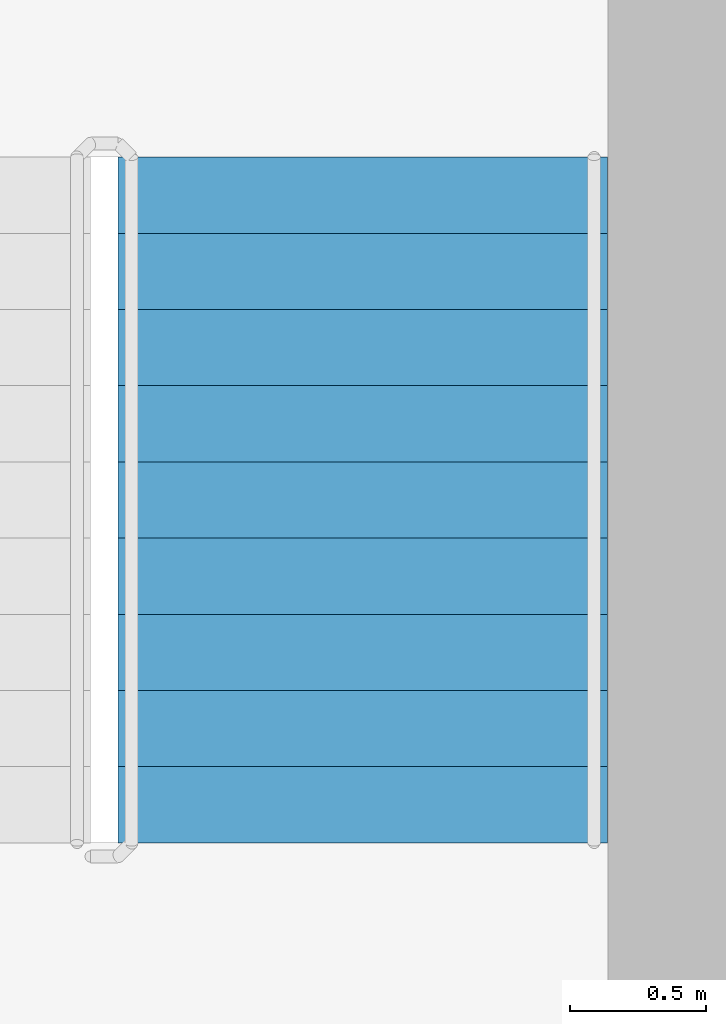
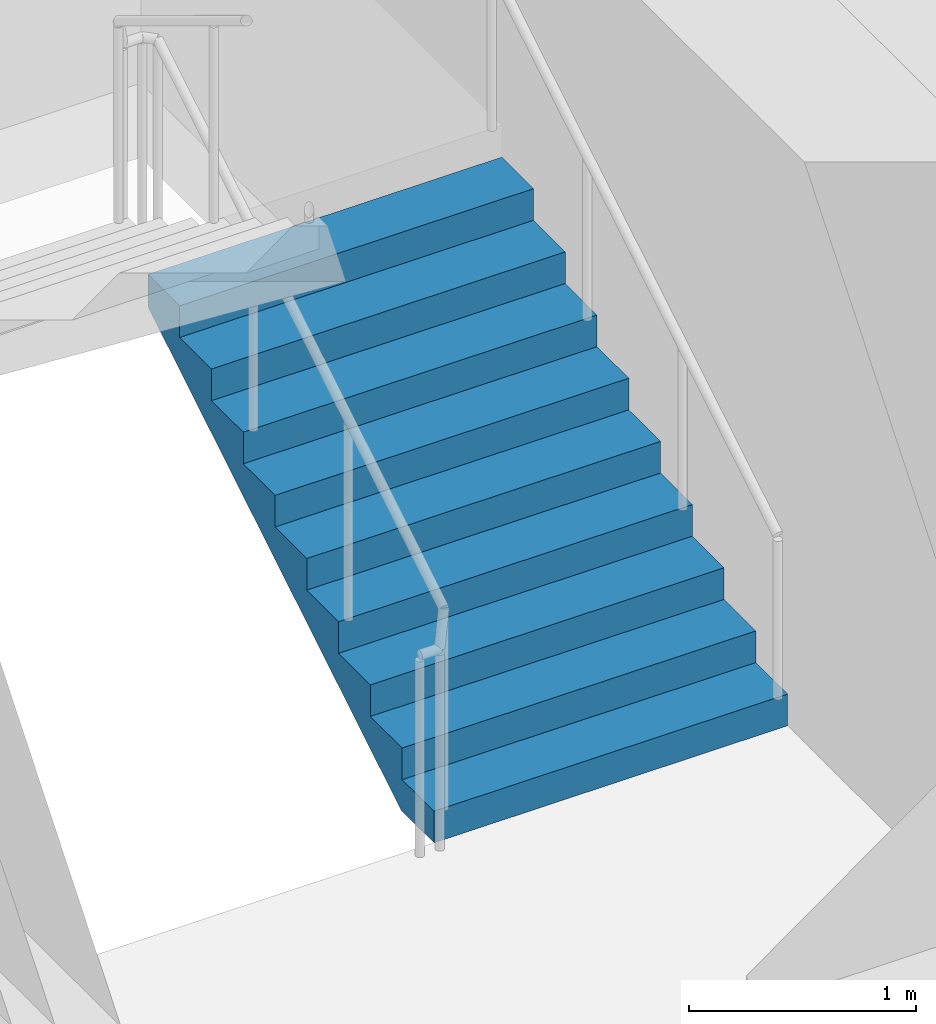
# One storey, part 13 of 16: 1 stair flight, 1 element without a shape of its own.
"""IFC4 building model written with IfcOpenShell, lengths in metres."""

from ifc_helpers import new_model, si_unit, direction, frame, origin, place, context, subcontext, project, spatial, triangles, source, transform, mapped, material, type_object, element, aggregate, save


model = new_model("IFC4")

# Units and contexts
model_context = context("Model", 3, precision=1e-05, world=origin(), true_north=direction((0.0, 1.0)))
body_context = subcontext(model_context, "Body", "Model", "MODEL_VIEW")
ifc_project = project(units=[si_unit("LENGTHUNIT", "METRE"), si_unit("AREAUNIT", "SQUARE_METRE"), si_unit("VOLUMEUNIT", "CUBIC_METRE"), si_unit("PLANEANGLEUNIT", "RADIAN"), si_unit("MASSUNIT", "GRAM", prefix="KILO")], contexts=[model_context])

# Site, building, storey
site_placement = place(None, origin())
site = spatial("IfcSite", under=ifc_project, at=site_placement, CompositionType="ELEMENT")
building_placement = place(site_placement, origin())
building = spatial("IfcBuilding", under=site, at=building_placement, Name="Kilnfold Tower and Market Hall", CompositionType="ELEMENT")
storey_placement = place(building_placement, frame((0.0, 0.0, 199.89990234375)))
storey = spatial("IfcBuildingStorey", under=building, at=storey_placement, Name="L48", CompositionType="ELEMENT", Elevation=199.89990234375)

# Stair, stair flight
ifc_material_1 = material(Name="Concrete C40/50", Category="concrete")
stair_type = type_object("IfcStairType", Name="CORE STAIR 1800", PredefinedType="HALF_TURN_STAIR", material=ifc_material_1)
stair_placement = place(storey_placement, origin())
stair = element("IfcStair", 1, at=stair_placement, inside=storey, type_object=stair_type, Name="L48 ST2", PredefinedType="HALF_TURN_STAIR")
ifc_material_2 = material(Name="Concrete C40/50", Category="concrete")
stair_flight_type = type_object("IfcStairFlightType", Name="CORE STAIR FLIGHT 1800", PredefinedType="STRAIGHT", material=ifc_material_2)
shared_shape = source(origin(), body_context, "Body", "Tessellation", [
    triangles([(0.0, 0.89990234375, 0.0), (0.0, 0.78759765625, 0.0), (0.0, 0.675048828125, 0.0), (0.0, 0.5625, 0.0), (0.0, 0.449951171875, 0.0), (0.0, 0.33740234375, 0.0), (0.0, 0.22509765625, 0.0), (0.0, 0.112548828125, 0.0), (0.0, 0.0, 0.0), (0.0, -0.112548828125, 0.0), (0.0, -0.22509765625, 0.0), (0.0, -0.33740234375, 0.0), (0.0, -0.449951171875, 0.0), (0.0, -0.5625, 0.0), (0.0, -0.675048828125, 0.0), (0.0, -0.78759765625, 0.0), (0.0, -0.89990234375, 0.0), (0.0, 0.89990234375, 0.169921875), (0.0, 0.78759765625, 0.169921875), (0.0, 0.675048828125, 0.169921875), (0.0, 0.5625, 0.169921875), (0.0, 0.449951171875, 0.169921875), (0.0, 0.33740234375, 0.169921875), (0.0, 0.22509765625, 0.169921875), (0.0, 0.112548828125, 0.169921875), (0.0, 0.0, 0.169921875), (0.0, -0.112548828125, 0.169921875), (0.0, -0.22509765625, 0.169921875), (0.0, -0.33740234375, 0.169921875), (0.0, -0.449951171875, 0.169921875), (0.0, -0.5625, 0.169921875), (0.0, -0.675048828125, 0.169921875), (0.0, -0.78759765625, 0.169921875), (0.0, -0.89990234375, 0.169921875), (0.280029296875, 0.89990234375, 0.169921875), (0.280029296875, 0.78759765625, 0.169921875), (0.280029296875, 0.675048828125, 0.169921875), (0.280029296875, 0.5625, 0.169921875), (0.280029296875, 0.449951171875, 0.169921875), (0.280029296875, 0.33740234375, 0.169921875), (0.280029296875, 0.22509765625, 0.169921875), (0.280029296875, 0.112548828125, 0.169921875), (0.280029296875, 0.0, 0.169921875), (0.280029296875, -0.112548828125, 0.169921875), (0.280029296875, -0.22509765625, 0.169921875), (0.280029296875, -0.33740234375, 0.169921875), (0.280029296875, -0.449951171875, 0.169921875), (0.280029296875, -0.5625, 0.169921875), (0.280029296875, -0.675048828125, 0.169921875), (0.280029296875, -0.78759765625, 0.169921875), (0.280029296875, -0.89990234375, 0.169921875), (0.280029296875, 0.89990234375, 0.340087890625), (0.280029296875, 0.78759765625, 0.340087890625), (0.280029296875, 0.675048828125, 0.340087890625), (0.280029296875, 0.5625, 0.340087890625), (0.280029296875, 0.449951171875, 0.340087890625), (0.280029296875, 0.33740234375, 0.340087890625), (0.280029296875, 0.22509765625, 0.340087890625), (0.280029296875, 0.112548828125, 0.340087890625), (0.280029296875, 0.0, 0.340087890625), (0.280029296875, -0.112548828125, 0.340087890625), (0.280029296875, -0.22509765625, 0.340087890625), (0.280029296875, -0.33740234375, 0.340087890625), (0.280029296875, -0.449951171875, 0.340087890625), (0.280029296875, -0.5625, 0.340087890625), (0.280029296875, -0.675048828125, 0.340087890625), (0.280029296875, -0.78759765625, 0.340087890625), (0.280029296875, -0.89990234375, 0.340087890625), (0.56005859375, 0.89990234375, 0.340087890625), (0.56005859375, 0.78759765625, 0.340087890625), (0.56005859375, 0.675048828125, 0.340087890625), (0.56005859375, 0.5625, 0.340087890625), (0.56005859375, 0.449951171875, 0.340087890625), (0.56005859375, 0.33740234375, 0.340087890625), (0.56005859375, 0.22509765625, 0.340087890625), (0.56005859375, 0.112548828125, 0.340087890625), (0.56005859375, 0.0, 0.340087890625), (0.56005859375, -0.112548828125, 0.340087890625), (0.56005859375, -0.22509765625, 0.340087890625), (0.56005859375, -0.33740234375, 0.340087890625), (0.56005859375, -0.449951171875, 0.340087890625), (0.56005859375, -0.5625, 0.340087890625), (0.56005859375, -0.675048828125, 0.340087890625), (0.56005859375, -0.78759765625, 0.340087890625), (0.56005859375, -0.89990234375, 0.340087890625), (0.56005859375, 0.89990234375, 0.510009765625), (0.56005859375, 0.78759765625, 0.510009765625), (0.56005859375, 0.675048828125, 0.510009765625), (0.56005859375, 0.5625, 0.510009765625), (0.56005859375, 0.449951171875, 0.510009765625), (0.56005859375, 0.33740234375, 0.510009765625), (0.56005859375, 0.22509765625, 0.510009765625), (0.56005859375, 0.112548828125, 0.510009765625), (0.56005859375, 0.0, 0.510009765625), (0.56005859375, -0.112548828125, 0.510009765625), (0.56005859375, -0.22509765625, 0.510009765625), (0.56005859375, -0.33740234375, 0.510009765625), (0.56005859375, -0.449951171875, 0.510009765625), (0.56005859375, -0.5625, 0.510009765625), (0.56005859375, -0.675048828125, 0.510009765625), (0.56005859375, -0.78759765625, 0.510009765625), (0.56005859375, -0.89990234375, 0.510009765625), (0.840087890625, 0.89990234375, 0.510009765625), (0.840087890625, 0.78759765625, 0.510009765625), (0.840087890625, 0.675048828125, 0.510009765625), (0.840087890625, 0.5625, 0.510009765625), (0.840087890625, 0.449951171875, 0.510009765625), (0.840087890625, 0.33740234375, 0.510009765625), (0.840087890625, 0.22509765625, 0.510009765625), (0.840087890625, 0.112548828125, 0.510009765625), (0.840087890625, 0.0, 0.510009765625), (0.840087890625, -0.112548828125, 0.510009765625), (0.840087890625, -0.22509765625, 0.510009765625), (0.840087890625, -0.33740234375, 0.510009765625), (0.840087890625, -0.449951171875, 0.510009765625), (0.840087890625, -0.5625, 0.510009765625), (0.840087890625, -0.675048828125, 0.510009765625), (0.840087890625, -0.78759765625, 0.510009765625), (0.840087890625, -0.89990234375, 0.510009765625), (0.840087890625, 0.89990234375, 0.679931640625), (0.840087890625, 0.78759765625, 0.679931640625), (0.840087890625, 0.675048828125, 0.679931640625), (0.840087890625, 0.5625, 0.679931640625), (0.840087890625, 0.449951171875, 0.679931640625), (0.840087890625, 0.33740234375, 0.679931640625), (0.840087890625, 0.22509765625, 0.679931640625), (0.840087890625, 0.112548828125, 0.679931640625), (0.840087890625, 0.0, 0.679931640625), (0.840087890625, -0.112548828125, 0.679931640625), (0.840087890625, -0.22509765625, 0.679931640625), (0.840087890625, -0.33740234375, 0.679931640625), (0.840087890625, -0.449951171875, 0.679931640625), (0.840087890625, -0.5625, 0.679931640625), (0.840087890625, -0.675048828125, 0.679931640625), (0.840087890625, -0.78759765625, 0.679931640625), (0.840087890625, -0.89990234375, 0.679931640625), (1.1201171875, 0.89990234375, 0.679931640625), (1.1201171875, 0.78759765625, 0.679931640625), (1.1201171875, 0.675048828125, 0.679931640625), (1.1201171875, 0.5625, 0.679931640625), (1.1201171875, 0.449951171875, 0.679931640625), (1.1201171875, 0.33740234375, 0.679931640625), (1.1201171875, 0.22509765625, 0.679931640625), (1.1201171875, 0.112548828125, 0.679931640625), (1.1201171875, 0.0, 0.679931640625), (1.1201171875, -0.112548828125, 0.679931640625), (1.1201171875, -0.22509765625, 0.679931640625), (1.1201171875, -0.33740234375, 0.679931640625), (1.1201171875, -0.449951171875, 0.679931640625), (1.1201171875, -0.5625, 0.679931640625), (1.1201171875, -0.675048828125, 0.679931640625), (1.1201171875, -0.78759765625, 0.679931640625), (1.1201171875, -0.89990234375, 0.679931640625), (1.1201171875, 0.89990234375, 0.85009765625), (1.1201171875, 0.78759765625, 0.85009765625), (1.1201171875, 0.675048828125, 0.85009765625), (1.1201171875, 0.5625, 0.85009765625), (1.1201171875, 0.449951171875, 0.85009765625), (1.1201171875, 0.33740234375, 0.85009765625), (1.1201171875, 0.22509765625, 0.85009765625), (1.1201171875, 0.112548828125, 0.85009765625), (1.1201171875, 0.0, 0.85009765625), (1.1201171875, -0.112548828125, 0.85009765625), (1.1201171875, -0.22509765625, 0.85009765625), (1.1201171875, -0.33740234375, 0.85009765625), (1.1201171875, -0.449951171875, 0.85009765625), (1.1201171875, -0.5625, 0.85009765625), (1.1201171875, -0.675048828125, 0.85009765625), (1.1201171875, -0.78759765625, 0.85009765625), (1.1201171875, -0.89990234375, 0.85009765625), (1.39990234375, 0.89990234375, 0.85009765625), (1.39990234375, 0.78759765625, 0.85009765625), (1.39990234375, 0.675048828125, 0.85009765625), (1.39990234375, 0.5625, 0.85009765625), (1.39990234375, 0.449951171875, 0.85009765625), (1.39990234375, 0.33740234375, 0.85009765625), (1.39990234375, 0.22509765625, 0.85009765625), (1.39990234375, 0.112548828125, 0.85009765625), (1.39990234375, 0.0, 0.85009765625), (1.39990234375, -0.112548828125, 0.85009765625), (1.39990234375, -0.22509765625, 0.85009765625), (1.39990234375, -0.33740234375, 0.85009765625), (1.39990234375, -0.449951171875, 0.85009765625), (1.39990234375, -0.5625, 0.85009765625), (1.39990234375, -0.675048828125, 0.85009765625), (1.39990234375, -0.78759765625, 0.85009765625), (1.39990234375, -0.89990234375, 0.85009765625), (1.39990234375, 0.89990234375, 1.02001953125), (1.39990234375, 0.78759765625, 1.02001953125), (1.39990234375, 0.675048828125, 1.02001953125), (1.39990234375, 0.5625, 1.02001953125), (1.39990234375, 0.449951171875, 1.02001953125), (1.39990234375, 0.33740234375, 1.02001953125), (1.39990234375, 0.22509765625, 1.02001953125), (1.39990234375, 0.112548828125, 1.02001953125), (1.39990234375, 0.0, 1.02001953125), (1.39990234375, -0.112548828125, 1.02001953125), (1.39990234375, -0.22509765625, 1.02001953125), (1.39990234375, -0.33740234375, 1.02001953125), (1.39990234375, -0.449951171875, 1.02001953125), (1.39990234375, -0.5625, 1.02001953125), (1.39990234375, -0.675048828125, 1.02001953125), (1.39990234375, -0.78759765625, 1.02001953125), (1.39990234375, -0.89990234375, 1.02001953125), (1.679931640625, 0.89990234375, 1.02001953125), (1.679931640625, 0.78759765625, 1.02001953125), (1.679931640625, 0.675048828125, 1.02001953125), (1.679931640625, 0.5625, 1.02001953125), (1.679931640625, 0.449951171875, 1.02001953125), (1.679931640625, 0.33740234375, 1.02001953125), (1.679931640625, 0.22509765625, 1.02001953125), (1.679931640625, 0.112548828125, 1.02001953125), (1.679931640625, 0.0, 1.02001953125), (1.679931640625, -0.112548828125, 1.02001953125), (1.679931640625, -0.22509765625, 1.02001953125), (1.679931640625, -0.33740234375, 1.02001953125), (1.679931640625, -0.449951171875, 1.02001953125), (1.679931640625, -0.5625, 1.02001953125), (1.679931640625, -0.675048828125, 1.02001953125), (1.679931640625, -0.78759765625, 1.02001953125), (1.679931640625, -0.89990234375, 1.02001953125), (1.679931640625, 0.89990234375, 1.18994140625), (1.679931640625, 0.78759765625, 1.18994140625), (1.679931640625, 0.675048828125, 1.18994140625), (1.679931640625, 0.5625, 1.18994140625), (1.679931640625, 0.449951171875, 1.18994140625), (1.679931640625, 0.33740234375, 1.18994140625), (1.679931640625, 0.22509765625, 1.18994140625), (1.679931640625, 0.112548828125, 1.18994140625), (1.679931640625, 0.0, 1.18994140625), (1.679931640625, -0.112548828125, 1.18994140625), (1.679931640625, -0.22509765625, 1.18994140625), (1.679931640625, -0.33740234375, 1.18994140625), (1.679931640625, -0.449951171875, 1.18994140625), (1.679931640625, -0.5625, 1.18994140625), (1.679931640625, -0.675048828125, 1.18994140625), (1.679931640625, -0.78759765625, 1.18994140625), (1.679931640625, -0.89990234375, 1.18994140625), (1.9599609375, 0.89990234375, 1.18994140625), (1.9599609375, 0.78759765625, 1.18994140625), (1.9599609375, 0.675048828125, 1.18994140625), (1.9599609375, 0.5625, 1.18994140625), (1.9599609375, 0.449951171875, 1.18994140625), (1.9599609375, 0.33740234375, 1.18994140625), (1.9599609375, 0.22509765625, 1.18994140625), (1.9599609375, 0.112548828125, 1.18994140625), (1.9599609375, 0.0, 1.18994140625), (1.9599609375, -0.112548828125, 1.18994140625), (1.9599609375, -0.22509765625, 1.18994140625), (1.9599609375, -0.33740234375, 1.18994140625), (1.9599609375, -0.449951171875, 1.18994140625), (1.9599609375, -0.5625, 1.18994140625), (1.9599609375, -0.675048828125, 1.18994140625), (1.9599609375, -0.78759765625, 1.18994140625), (1.9599609375, -0.89990234375, 1.18994140625), (1.9599609375, 0.89990234375, 1.360107421875), (1.9599609375, 0.78759765625, 1.360107421875), (1.9599609375, 0.675048828125, 1.360107421875), (1.9599609375, 0.5625, 1.360107421875), (1.9599609375, 0.449951171875, 1.360107421875), (1.9599609375, 0.33740234375, 1.360107421875), (1.9599609375, 0.22509765625, 1.360107421875), (1.9599609375, 0.112548828125, 1.360107421875), (1.9599609375, 0.0, 1.360107421875), (1.9599609375, -0.112548828125, 1.360107421875), (1.9599609375, -0.22509765625, 1.360107421875), (1.9599609375, -0.33740234375, 1.360107421875), (1.9599609375, -0.449951171875, 1.360107421875), (1.9599609375, -0.5625, 1.360107421875), (1.9599609375, -0.675048828125, 1.360107421875), (1.9599609375, -0.78759765625, 1.360107421875), (1.9599609375, -0.89990234375, 1.360107421875), (2.239990234375, 0.89990234375, 1.360107421875), (2.239990234375, 0.78759765625, 1.360107421875), (2.239990234375, 0.675048828125, 1.360107421875), (2.239990234375, 0.5625, 1.360107421875), (2.239990234375, 0.449951171875, 1.360107421875), (2.239990234375, 0.33740234375, 1.360107421875), (2.239990234375, 0.22509765625, 1.360107421875), (2.239990234375, 0.112548828125, 1.360107421875), (2.239990234375, 0.0, 1.360107421875), (2.239990234375, -0.112548828125, 1.360107421875), (2.239990234375, -0.22509765625, 1.360107421875), (2.239990234375, -0.33740234375, 1.360107421875), (2.239990234375, -0.449951171875, 1.360107421875), (2.239990234375, -0.5625, 1.360107421875), (2.239990234375, -0.675048828125, 1.360107421875), (2.239990234375, -0.78759765625, 1.360107421875), (2.239990234375, -0.89990234375, 1.360107421875), (2.239990234375, 0.89990234375, 1.530029296875), (2.239990234375, 0.78759765625, 1.530029296875), (2.239990234375, 0.675048828125, 1.530029296875), (2.239990234375, 0.5625, 1.530029296875), (2.239990234375, 0.449951171875, 1.530029296875), (2.239990234375, 0.33740234375, 1.530029296875), (2.239990234375, 0.22509765625, 1.530029296875), (2.239990234375, 0.112548828125, 1.530029296875), (2.239990234375, 0.0, 1.530029296875), (2.239990234375, -0.112548828125, 1.530029296875), (2.239990234375, -0.22509765625, 1.530029296875), (2.239990234375, -0.33740234375, 1.530029296875), (2.239990234375, -0.449951171875, 1.530029296875), (2.239990234375, -0.5625, 1.530029296875), (2.239990234375, -0.675048828125, 1.530029296875), (2.239990234375, -0.78759765625, 1.530029296875), (2.239990234375, -0.89990234375, 1.530029296875), (2.52001953125, 0.89990234375, 1.530029296875), (2.52001953125, 0.78759765625, 1.530029296875), (2.52001953125, 0.675048828125, 1.530029296875), (2.52001953125, 0.5625, 1.530029296875), (2.52001953125, 0.449951171875, 1.530029296875), (2.52001953125, 0.33740234375, 1.530029296875), (2.52001953125, 0.22509765625, 1.530029296875), (2.52001953125, 0.112548828125, 1.530029296875), (2.52001953125, 0.0, 1.530029296875), (2.52001953125, -0.112548828125, 1.530029296875), (2.52001953125, -0.22509765625, 1.530029296875), (2.52001953125, -0.33740234375, 1.530029296875), (2.52001953125, -0.449951171875, 1.530029296875), (2.52001953125, -0.5625, 1.530029296875), (2.52001953125, -0.675048828125, 1.530029296875), (2.52001953125, -0.78759765625, 1.530029296875), (2.52001953125, -0.89990234375, 1.530029296875), (2.52001953125, 0.89990234375, 1.354736328125), (2.52001953125, 0.78759765625, 1.354736328125), (2.52001953125, 0.675048828125, 1.354736328125), (2.52001953125, 0.5625, 1.354736328125), (2.52001953125, 0.449951171875, 1.354736328125), (2.52001953125, 0.33740234375, 1.354736328125), (2.52001953125, 0.22509765625, 1.354736328125), (2.52001953125, 0.112548828125, 1.354736328125), (2.52001953125, 0.0, 1.354736328125), (2.52001953125, -0.112548828125, 1.354736328125), (2.52001953125, -0.22509765625, 1.354736328125), (2.52001953125, -0.33740234375, 1.354736328125), (2.52001953125, -0.449951171875, 1.354736328125), (2.52001953125, -0.5625, 1.354736328125), (2.52001953125, -0.675048828125, 1.354736328125), (2.52001953125, -0.78759765625, 1.354736328125), (2.52001953125, -0.89990234375, 1.354736328125), (0.288818359375, 0.89990234375, 0.0), (0.288818359375, 0.78759765625, 0.0), (0.288818359375, 0.675048828125, 0.0), (0.288818359375, 0.5625, 0.0), (0.288818359375, 0.449951171875, 0.0), (0.288818359375, 0.33740234375, 0.0), (0.288818359375, 0.22509765625, 0.0), (0.288818359375, 0.112548828125, 0.0), (0.288818359375, 0.0, 0.0), (0.288818359375, -0.112548828125, 0.0), (0.288818359375, -0.22509765625, 0.0), (0.288818359375, -0.33740234375, 0.0), (0.288818359375, -0.449951171875, 0.0), (0.288818359375, -0.5625, 0.0), (0.288818359375, -0.675048828125, 0.0), (0.288818359375, -0.78759765625, 0.0), (0.288818359375, -0.89990234375, 0.0)], [[1, 324, 341], [17, 357, 340], [324, 290, 307], [340, 323, 306], [324, 273, 290], [340, 306, 289], [324, 256, 273], [340, 289, 272], [324, 239, 256], [340, 272, 255], [239, 205, 222], [255, 238, 221], [324, 205, 239], [340, 255, 221], [205, 171, 188], [221, 204, 187], [324, 171, 205], [340, 221, 187], [171, 137, 154], [187, 170, 153], [324, 137, 171], [340, 187, 153], [137, 103, 120], [153, 136, 119], [324, 103, 137], [340, 153, 119], [103, 69, 86], [119, 102, 85], [324, 69, 103], [340, 119, 85], [69, 35, 52], [85, 68, 51], [324, 35, 69], [340, 85, 51], [1, 35, 324], [17, 340, 51], [35, 1, 18], [51, 34, 17], [1, 19, 18], [1, 2, 19], [2, 20, 19], [2, 3, 20], [3, 21, 20], [3, 4, 21], [4, 22, 21], [4, 5, 22], [5, 23, 22], [5, 6, 23], [6, 24, 23], [6, 7, 24], [7, 25, 24], [7, 8, 25], [8, 26, 25], [8, 9, 26], [9, 27, 26], [9, 10, 27], [10, 28, 27], [10, 11, 28], [11, 29, 28], [11, 12, 29], [12, 30, 29], [12, 13, 30], [13, 31, 30], [13, 14, 31], [14, 32, 31], [14, 15, 32], [15, 33, 32], [15, 16, 33], [16, 34, 33], [16, 17, 34], [18, 36, 35], [18, 19, 36], [19, 37, 36], [19, 20, 37], [20, 38, 37], [20, 21, 38], [21, 39, 38], [21, 22, 39], [22, 40, 39], [22, 23, 40], [23, 41, 40], [23, 24, 41], [24, 42, 41], [24, 25, 42], [25, 43, 42], [25, 26, 43], [26, 44, 43], [26, 27, 44], [27, 45, 44], [27, 28, 45], [28, 46, 45], [28, 29, 46], [29, 47, 46], [29, 30, 47], [30, 48, 47], [30, 31, 48], [31, 49, 48], [31, 32, 49], [32, 50, 49], [32, 33, 50], [33, 51, 50], [33, 34, 51], [35, 53, 52], [35, 36, 53], [36, 54, 53], [36, 37, 54], [37, 55, 54], [37, 38, 55], [38, 56, 55], [38, 39, 56], [39, 57, 56], [39, 40, 57], [40, 58, 57], [40, 41, 58], [41, 59, 58], [41, 42, 59], [42, 60, 59], [42, 43, 60], [43, 61, 60], [43, 44, 61], [44, 62, 61], [44, 45, 62], [45, 63, 62], [45, 46, 63], [46, 64, 63], [46, 47, 64], [47, 65, 64], [47, 48, 65], [48, 66, 65], [48, 49, 66], [49, 67, 66], [49, 50, 67], [50, 68, 67], [50, 51, 68], [52, 70, 69], [52, 53, 70], [53, 71, 70], [53, 54, 71], [54, 72, 71], [54, 55, 72], [55, 73, 72], [55, 56, 73], [56, 74, 73], [56, 57, 74], [57, 75, 74], [57, 58, 75], [58, 76, 75], [58, 59, 76], [59, 77, 76], [59, 60, 77], [60, 78, 77], [60, 61, 78], [61, 79, 78], [61, 62, 79], [62, 80, 79], [62, 63, 80], [63, 81, 80], [63, 64, 81], [64, 82, 81], [64, 65, 82], [65, 83, 82], [65, 66, 83], [66, 84, 83], [66, 67, 84], [67, 85, 84], [67, 68, 85], [69, 87, 86], [69, 70, 87], [70, 88, 87], [70, 71, 88], [71, 89, 88], [71, 72, 89], [72, 90, 89], [72, 73, 90], [73, 91, 90], [73, 74, 91], [74, 92, 91], [74, 75, 92], [75, 93, 92], [75, 76, 93], [76, 94, 93], [76, 77, 94], [77, 95, 94], [77, 78, 95], [78, 96, 95], [78, 79, 96], [79, 97, 96], [79, 80, 97], [80, 98, 97], [80, 81, 98], [81, 99, 98], [81, 82, 99], [82, 100, 99], [82, 83, 100], [83, 101, 100], [83, 84, 101], [84, 102, 101], [84, 85, 102], [86, 104, 103], [86, 87, 104], [87, 105, 104], [87, 88, 105], [88, 106, 105], [88, 89, 106], [89, 107, 106], [89, 90, 107], [90, 108, 107], [90, 91, 108], [91, 109, 108], [91, 92, 109], [92, 110, 109], [92, 93, 110], [93, 111, 110], [93, 94, 111], [94, 112, 111], [94, 95, 112], [95, 113, 112], [95, 96, 113], [96, 114, 113], [96, 97, 114], [97, 115, 114], [97, 98, 115], [98, 116, 115], [98, 99, 116], [99, 117, 116], [99, 100, 117], [100, 118, 117], [100, 101, 118], [101, 119, 118], [101, 102, 119], [103, 121, 120], [103, 104, 121], [104, 122, 121], [104, 105, 122], [105, 123, 122], [105, 106, 123], [106, 124, 123], [106, 107, 124], [107, 125, 124], [107, 108, 125], [108, 126, 125], [108, 109, 126], [109, 127, 126], [109, 110, 127], [110, 128, 127], [110, 111, 128], [111, 129, 128], [111, 112, 129], [112, 130, 129], [112, 113, 130], [113, 131, 130], [113, 114, 131], [114, 132, 131], [114, 115, 132], [115, 133, 132], [115, 116, 133], [116, 134, 133], [116, 117, 134], [117, 135, 134], [117, 118, 135], [118, 136, 135], [118, 119, 136], [120, 138, 137], [120, 121, 138], [121, 139, 138], [121, 122, 139], [122, 140, 139], [122, 123, 140], [123, 141, 140], [123, 124, 141], [124, 142, 141], [124, 125, 142], [125, 143, 142], [125, 126, 143], [126, 144, 143], [126, 127, 144], [127, 145, 144], [127, 128, 145], [128, 146, 145], [128, 129, 146], [129, 147, 146], [129, 130, 147], [130, 148, 147], [130, 131, 148], [131, 149, 148], [131, 132, 149], [132, 150, 149], [132, 133, 150], [133, 151, 150], [133, 134, 151], [134, 152, 151], [134, 135, 152], [135, 153, 152], [135, 136, 153], [137, 155, 154], [137, 138, 155], [138, 156, 155], [138, 139, 156], [139, 157, 156], [139, 140, 157], [140, 158, 157], [140, 141, 158], [141, 159, 158], [141, 142, 159], [142, 160, 159], [142, 143, 160], [143, 161, 160], [143, 144, 161], [144, 162, 161], [144, 145, 162], [145, 163, 162], [145, 146, 163], [146, 164, 163], [146, 147, 164], [147, 165, 164], [147, 148, 165], [148, 166, 165], [148, 149, 166], [149, 167, 166], [149, 150, 167], [150, 168, 167], [150, 151, 168], [151, 169, 168], [151, 152, 169], [152, 170, 169], [152, 153, 170], [154, 172, 171], [154, 155, 172], [155, 173, 172], [155, 156, 173], [156, 174, 173], [156, 157, 174], [157, 175, 174], [157, 158, 175], [158, 176, 175], [158, 159, 176], [159, 177, 176], [159, 160, 177], [160, 178, 177], [160, 161, 178], [161, 179, 178], [161, 162, 179], [162, 180, 179], [162, 163, 180], [163, 181, 180], [163, 164, 181], [164, 182, 181], [164, 165, 182], [165, 183, 182], [165, 166, 183], [166, 184, 183], [166, 167, 184], [167, 185, 184], [167, 168, 185], [168, 186, 185], [168, 169, 186], [169, 187, 186], [169, 170, 187], [171, 189, 188], [171, 172, 189], [172, 190, 189], [172, 173, 190], [173, 191, 190], [173, 174, 191], [174, 192, 191], [174, 175, 192], [175, 193, 192], [175, 176, 193], [176, 194, 193], [176, 177, 194], [177, 195, 194], [177, 178, 195], [178, 196, 195], [178, 179, 196], [179, 197, 196], [179, 180, 197], [180, 198, 197], [180, 181, 198], [181, 199, 198], [181, 182, 199], [182, 200, 199], [182, 183, 200], [183, 201, 200], [183, 184, 201], [184, 202, 201], [184, 185, 202], [185, 203, 202], [185, 186, 203], [186, 204, 203], [186, 187, 204], [188, 206, 205], [188, 189, 206], [189, 207, 206], [189, 190, 207], [190, 208, 207], [190, 191, 208], [191, 209, 208], [191, 192, 209], [192, 210, 209], [192, 193, 210], [193, 211, 210], [193, 194, 211], [194, 212, 211], [194, 195, 212], [195, 213, 212], [195, 196, 213], [196, 214, 213], [196, 197, 214], [197, 215, 214], [197, 198, 215], [198, 216, 215], [198, 199, 216], [199, 217, 216], [199, 200, 217], [200, 218, 217], [200, 201, 218], [201, 219, 218], [201, 202, 219], [202, 220, 219], [202, 203, 220], [203, 221, 220], [203, 204, 221], [205, 223, 222], [205, 206, 223], [206, 224, 223], [206, 207, 224], [207, 225, 224], [207, 208, 225], [208, 226, 225], [208, 209, 226], [209, 227, 226], [209, 210, 227], [210, 228, 227], [210, 211, 228], [211, 229, 228], [211, 212, 229], [212, 230, 229], [212, 213, 230], [213, 231, 230], [213, 214, 231], [214, 232, 231], [214, 215, 232], [215, 233, 232], [215, 216, 233], [216, 234, 233], [216, 217, 234], [217, 235, 234], [217, 218, 235], [218, 236, 235], [218, 219, 236], [219, 237, 236], [219, 220, 237], [220, 238, 237], [220, 221, 238], [222, 240, 239], [222, 223, 240], [223, 241, 240], [223, 224, 241], [224, 242, 241], [224, 225, 242], [225, 243, 242], [225, 226, 243], [226, 244, 243], [226, 227, 244], [227, 245, 244], [227, 228, 245], [228, 246, 245], [228, 229, 246], [229, 247, 246], [229, 230, 247], [230, 248, 247], [230, 231, 248], [231, 249, 248], [231, 232, 249], [232, 250, 249], [232, 233, 250], [233, 251, 250], [233, 234, 251], [234, 252, 251], [234, 235, 252], [235, 253, 252], [235, 236, 253], [236, 254, 253], [236, 237, 254], [237, 255, 254], [237, 238, 255], [239, 257, 256], [239, 240, 257], [240, 258, 257], [240, 241, 258], [241, 259, 258], [241, 242, 259], [242, 260, 259], [242, 243, 260], [243, 261, 260], [243, 244, 261], [244, 262, 261], [244, 245, 262], [245, 263, 262], [245, 246, 263], [246, 264, 263], [246, 247, 264], [247, 265, 264], [247, 248, 265], [248, 266, 265], [248, 249, 266], [249, 267, 266], [249, 250, 267], [250, 268, 267], [250, 251, 268], [251, 269, 268], [251, 252, 269], [252, 270, 269], [252, 253, 270], [253, 271, 270], [253, 254, 271], [254, 272, 271], [254, 255, 272], [256, 274, 273], [256, 257, 274], [257, 275, 274], [257, 258, 275], [258, 276, 275], [258, 259, 276], [259, 277, 276], [259, 260, 277], [260, 278, 277], [260, 261, 278], [261, 279, 278], [261, 262, 279], [262, 280, 279], [262, 263, 280], [263, 281, 280], [263, 264, 281], [264, 282, 281], [264, 265, 282], [265, 283, 282], [265, 266, 283], [266, 284, 283], [266, 267, 284], [267, 285, 284], [267, 268, 285], [268, 286, 285], [268, 269, 286], [269, 287, 286], [269, 270, 287], [270, 288, 287], [270, 271, 288], [271, 289, 288], [271, 272, 289], [273, 291, 290], [273, 274, 291], [274, 292, 291], [274, 275, 292], [275, 293, 292], [275, 276, 293], [276, 294, 293], [276, 277, 294], [277, 295, 294], [277, 278, 295], [278, 296, 295], [278, 279, 296], [279, 297, 296], [279, 280, 297], [280, 298, 297], [280, 281, 298], [281, 299, 298], [281, 282, 299], [282, 300, 299], [282, 283, 300], [283, 301, 300], [283, 284, 301], [284, 302, 301], [284, 285, 302], [285, 303, 302], [285, 286, 303], [286, 304, 303], [286, 287, 304], [287, 305, 304], [287, 288, 305], [288, 306, 305], [288, 289, 306], [290, 308, 307], [290, 291, 308], [291, 309, 308], [291, 292, 309], [292, 310, 309], [292, 293, 310], [293, 311, 310], [293, 294, 311], [294, 312, 311], [294, 295, 312], [295, 313, 312], [295, 296, 313], [296, 314, 313], [296, 297, 314], [297, 315, 314], [297, 298, 315], [298, 316, 315], [298, 299, 316], [299, 317, 316], [299, 300, 317], [300, 318, 317], [300, 301, 318], [301, 319, 318], [301, 302, 319], [302, 320, 319], [302, 303, 320], [303, 321, 320], [303, 304, 321], [304, 322, 321], [304, 305, 322], [305, 323, 322], [305, 306, 323], [307, 325, 324], [307, 308, 325], [308, 326, 325], [308, 309, 326], [309, 327, 326], [309, 310, 327], [310, 328, 327], [310, 311, 328], [311, 329, 328], [311, 312, 329], [312, 330, 329], [312, 313, 330], [313, 331, 330], [313, 314, 331], [314, 332, 331], [314, 315, 332], [315, 333, 332], [315, 316, 333], [316, 334, 333], [316, 317, 334], [317, 335, 334], [317, 318, 335], [318, 336, 335], [318, 319, 336], [319, 337, 336], [319, 320, 337], [320, 338, 337], [320, 321, 338], [321, 339, 338], [321, 322, 339], [322, 340, 339], [322, 323, 340], [324, 342, 341], [324, 325, 342], [325, 343, 342], [325, 326, 343], [326, 344, 343], [326, 327, 344], [327, 345, 344], [327, 328, 345], [328, 346, 345], [328, 329, 346], [329, 347, 346], [329, 330, 347], [330, 348, 347], [330, 331, 348], [331, 349, 348], [331, 332, 349], [332, 350, 349], [332, 333, 350], [333, 351, 350], [333, 334, 351], [334, 352, 351], [334, 335, 352], [335, 353, 352], [335, 336, 353], [336, 354, 353], [336, 337, 354], [337, 355, 354], [337, 338, 355], [338, 356, 355], [338, 339, 356], [339, 357, 356], [339, 340, 357], [341, 2, 1], [341, 342, 2], [342, 3, 2], [342, 343, 3], [343, 4, 3], [343, 344, 4], [344, 5, 4], [344, 345, 5], [345, 6, 5], [345, 346, 6], [346, 7, 6], [346, 347, 7], [347, 8, 7], [347, 348, 8], [348, 9, 8], [348, 349, 9], [349, 10, 9], [349, 350, 10], [350, 11, 10], [350, 351, 11], [351, 12, 11], [351, 352, 12], [352, 13, 12], [352, 353, 13], [353, 14, 13], [353, 354, 14], [354, 15, 14], [354, 355, 15], [355, 16, 15], [355, 356, 16], [356, 17, 16], [356, 357, 17]], closed=True),
])
stair_flight_placement = place(storey_placement, frame((16.199951171875, 10.800048828125, 0.0), z_axis=(0.0, 0.0, 1.0), x_axis=(0.0, 1.0, 0.0)))
stair_flight = element("IfcStairFlight", 2, at=stair_flight_placement, type_object=stair_flight_type, Name="ST2 flight 1", NumberOfRisers=10, NumberOfTreads=9, PredefinedType="STRAIGHT", RiserHeight=0.17, TreadLength=0.28, context=body_context, shape_type="MappedRepresentation", body=[
    mapped(shared_shape, transform((0.0, 0.0, 0.0))),
])
aggregate(stair, [stair_flight])

save(model, "model.ifc")
